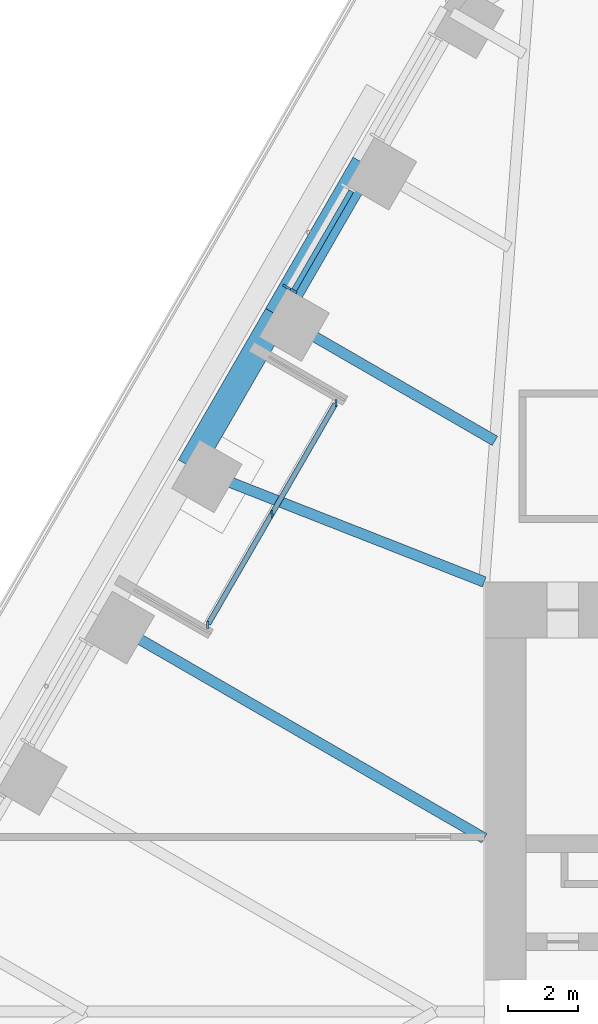
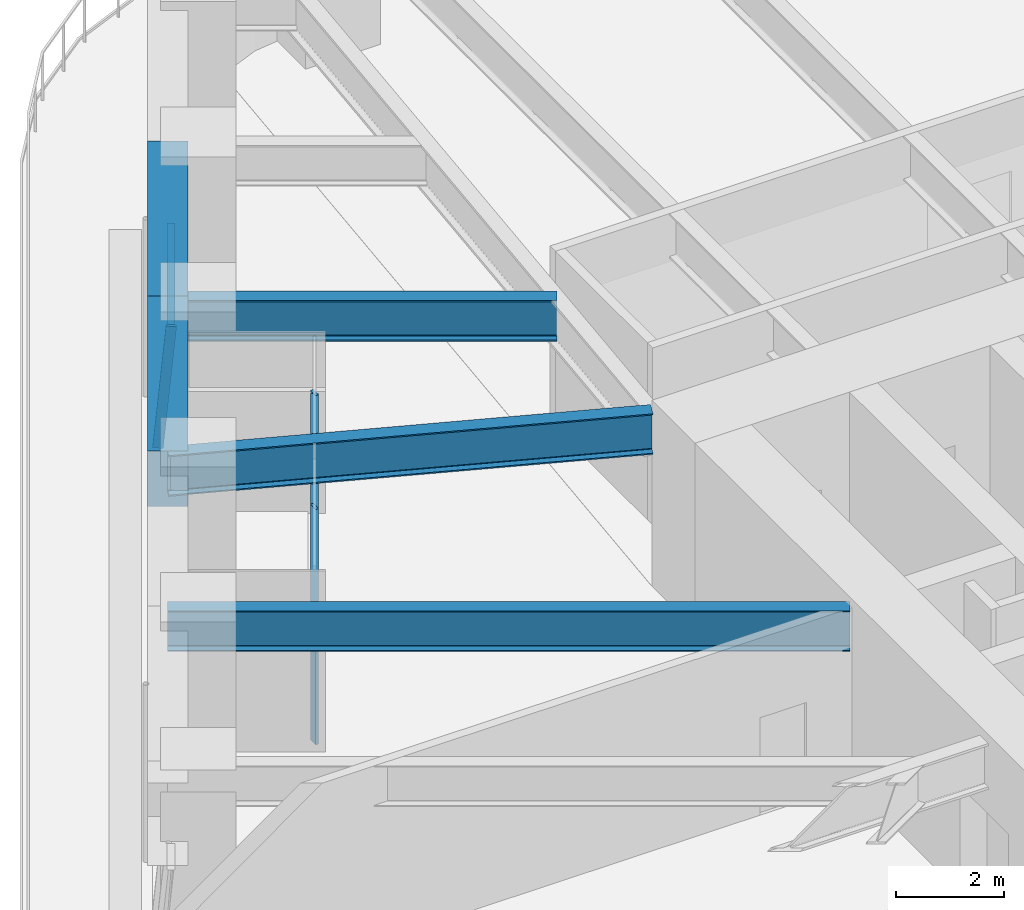
# One storey, part 8 of 24: 6 members, 5 beams, 2 elements without a shape of their own.
"""IFC4 building model written with IfcOpenShell, lengths in metres."""

import ifcopenshell
import ifcopenshell.guid

model = None  # the IFC model being written
_history = None  # IfcOwnerHistory: only IFC2X3 demands one
_inside = {}  # id of a spatial element -> (the spatial element, [elements in it])
_under = {}  # id of a project, library or spatial element -> (it, [spatial elements below it])
_declared = {}  # id of a project -> (the project, [libraries it declares])
_typed = {}  # id of a type object -> (the type object, [elements of that type])
_made_of = {}  # id of a material, layer set ... -> (it, [elements and type objects made of it])


def new_model(schema):
    """Start an empty IFC model of exactly this schema.

    Asked for "IFC4X3", IfcOpenShell would pick the latest addendum, in which some entities
    have other attributes; the version numbers below select the first issue.
    IFC2X3 requires an IfcOwnerHistory on every rooted entity: one is made here for all.
    """
    global model, _history
    if schema == "IFC4X3":
        model = ifcopenshell.file(schema_version=(4, 3, 0, 0))
    else:
        model = ifcopenshell.file(schema=schema)
    _inside.clear()
    _under.clear()
    _declared.clear()
    _typed.clear()
    _made_of.clear()
    _history = None
    if model.schema == "IFC2X3":
        org = make("IfcOrganization", Name="unknown")
        user = make(
            "IfcPersonAndOrganization",
            ThePerson=make("IfcPerson", FamilyName="unknown"),
            TheOrganization=org,
        )
        app = make(
            "IfcApplication",
            ApplicationDeveloper=org,
            Version="unknown",
            ApplicationFullName="unknown",
            ApplicationIdentifier="unknown",
        )
        _history = make(
            "IfcOwnerHistory",
            OwningUser=user,
            OwningApplication=app,
            ChangeAction="ADDED",
            CreationDate=0,
        )
    return model


def make(cls, **values):
    """One entity of the class cls with the attributes given. An attribute that is None is left unset."""
    return model.create_entity(
        cls, **{name: value for name, value in values.items() if value is not None}
    )


def rooted(cls, **values):
    """An entity with a GlobalId (a new one), such as an element, a storey or a relation."""
    return make(cls, GlobalId=ifcopenshell.guid.new(), OwnerHistory=_history, **values)


def si_unit(unit_type, name, prefix=None):
    """IfcSIUnit, for example si_unit("LENGTHUNIT", "METRE", prefix="MILLI")."""
    return make("IfcSIUnit", UnitType=unit_type, Prefix=prefix, Name=name)


def assignment(units):
    """IfcUnitAssignment: the units of a project."""
    return None if units is None else make("IfcUnitAssignment", Units=units)


def point(xyz):
    """IfcCartesianPoint."""
    return None if xyz is None else make("IfcCartesianPoint", Coordinates=xyz)


def direction(xyz):
    """IfcDirection."""
    return None if xyz is None else make("IfcDirection", DirectionRatios=xyz)


def frame(location, z_axis=None, x_axis=None):
    """IfcAxis2Placement3D, a coordinate frame: its origin and axes. An axis left out is left unset."""
    return make(
        "IfcAxis2Placement3D",
        Location=point(location),
        Axis=direction(z_axis),
        RefDirection=direction(x_axis),
    )


def frame_2d(location, x_axis=None):
    """IfcAxis2Placement2D, a coordinate frame in the plane: its origin and x axis."""
    return make(
        "IfcAxis2Placement2D", Location=point(location), RefDirection=direction(x_axis)
    )


def origin():
    """The frame at (0, 0, 0) with its axes left unset."""
    return frame((0.0, 0.0, 0.0))


def origin_2d():
    """The frame at (0, 0) in the plane with its x axis left unset."""
    return frame_2d((0.0, 0.0))


def place(relative_to, where):
    """IfcLocalPlacement: puts the frame where relative to a parent placement (None: the world)."""
    return make(
        "IfcLocalPlacement", PlacementRelTo=relative_to, RelativePlacement=where
    )


def context(
    kind, dimensions, precision=None, world=None, true_north=None, identifier=None
):
    """IfcGeometricRepresentationContext, for example the 3D "Model" context."""
    return make(
        "IfcGeometricRepresentationContext",
        ContextIdentifier=identifier,
        ContextType=kind,
        CoordinateSpaceDimension=dimensions,
        Precision=precision,
        WorldCoordinateSystem=world,
        TrueNorth=true_north,
    )


def subcontext(parent, identifier, kind, view, scale=None):
    """IfcGeometricRepresentationSubContext, for example "Body" below "Model"."""
    return make(
        "IfcGeometricRepresentationSubContext",
        ContextIdentifier=identifier,
        ContextType=kind,
        ParentContext=parent,
        TargetScale=scale,
        TargetView=view,
    )


def project(units=None, contexts=None):
    """IfcProject with its units and contexts."""
    return rooted(
        "IfcProject",
        Name="project",
        RepresentationContexts=contexts,
        UnitsInContext=assignment(units),
    )


def spatial(cls, under=None, at=None, **own):
    """A site, building, storey or space (cls), placed at a placement, below another one or the project."""
    s = rooted(cls, ObjectPlacement=at, **own)
    if under is not None:
        _under.setdefault(under.id(), (under, []))[1].append(s)
    return s


def profile(cls, at=None, kind="AREA", **sizes):
    """A parametric profile (cls). Its sizes go by their IFC names, for example OverallWidth=200.0."""
    return make(cls, ProfileType=kind, Position=at, **sizes)


def rectangle(**sizes):
    """IfcRectangleProfileDef."""
    return profile("IfcRectangleProfileDef", **sizes)


def i_section(**sizes):
    """IfcIShapeProfileDef."""
    return profile("IfcIShapeProfileDef", **sizes)


def extrude(swept, where, along, depth):
    """IfcExtrudedAreaSolid: the profile swept, set in the frame where, extruded along a direction by depth."""
    return make(
        "IfcExtrudedAreaSolid",
        SweptArea=swept,
        Position=where,
        ExtrudedDirection=direction(along),
        Depth=depth,
    )


def shape(context_of_items, identifier, shape_type, items):
    """IfcShapeRepresentation: the items that make up one representation, for example the "Body"."""
    return make(
        "IfcShapeRepresentation",
        ContextOfItems=context_of_items,
        RepresentationIdentifier=identifier,
        RepresentationType=shape_type,
        Items=items,
    )


def material(Name=None, Category=None):
    """IfcMaterial."""
    return make("IfcMaterial", Name=Name, Category=Category)


def material_profile(
    of_material, cross_section, Name=None, Category=None, Priority=None
):
    """IfcMaterialProfile: a cross section and its material."""
    return make(
        "IfcMaterialProfile",
        Name=Name,
        Material=of_material,
        Profile=cross_section,
        Priority=Priority,
        Category=Category,
    )


def profile_set(profiles, Name=None, composite=None):
    """IfcMaterialProfileSet."""
    return make(
        "IfcMaterialProfileSet",
        Name=Name,
        MaterialProfiles=profiles,
        CompositeProfile=composite,
    )


def made_of(thing, what):
    """Note that an element or type object is made of a material, layer set ...; save() writes the relation."""
    if what is not None:
        _made_of.setdefault(what.id(), (what, []))[1].append(thing)
    return thing


def type_object(cls, material=None, **own):
    """A type object (cls), such as IfcWallType, which elements share."""
    return made_of(rooted(cls, **own), material)


def element(
    cls,
    number,
    at=None,
    inside=None,
    cuts=None,
    type_object=None,
    material=None,
    context=None,
    identifier="Body",
    shape_type=None,
    held_by="IfcProductDefinitionShape",
    body=None,
    shapes=None,
    **own,
):
    """One element of the class cls, such as IfcWall. Its Tag is "e" and its number.

    at: its placement. inside: the storey or other place that contains it. cuts: it is an
    opening in that element (IfcRelVoidsElement). A single representation is given by context,
    identifier, shape_type and body (its items); several are given by shapes. held_by: the class
    of the entity that holds the representations. save() writes the other relations.
    """
    e = rooted(cls, Tag="e%d" % number, ObjectPlacement=at, **own)
    if body is not None:
        shapes = [shape(context, identifier, shape_type, body)]
    if shapes is not None:
        e.Representation = make(held_by, Representations=shapes)
    if inside is not None:
        _inside.setdefault(inside.id(), (inside, []))[1].append(e)
    if cuts is not None:
        rooted(
            "IfcRelVoidsElement", RelatingBuildingElement=cuts, RelatedOpeningElement=e
        )
    if type_object is not None:
        _typed.setdefault(type_object.id(), (type_object, []))[1].append(e)
    return made_of(e, material)


def aggregate(whole, parts):
    """IfcRelAggregates: a whole, such as a stair, and the parts it consists of."""
    return rooted("IfcRelAggregates", RelatingObject=whole, RelatedObjects=parts)


def save(model, path):
    """Write the relations noted so far, then the file.

    IfcRelAggregates (storeys below a building ...), IfcRelContainedInSpatialStructure (elements
    in a storey), IfcRelDefinesByType, IfcRelAssociatesMaterial and IfcRelDeclares: one each for
    every whole, place, type object, material and project.
    """
    for whole, parts in _under.values():
        aggregate(whole, parts)
    for where, things in _inside.values():
        rooted(
            "IfcRelContainedInSpatialStructure",
            RelatedElements=things,
            RelatingStructure=where,
        )
    for kind, things in _typed.values():
        rooted("IfcRelDefinesByType", RelatedObjects=things, RelatingType=kind)
    for what, things in _made_of.values():
        rooted("IfcRelAssociatesMaterial", RelatedObjects=things, RelatingMaterial=what)
    for by, libraries in _declared.values():
        rooted("IfcRelDeclares", RelatingContext=by, RelatedDefinitions=libraries)
    model.write(path)


model = new_model("IFC4")

# Units and contexts
model_context = context("Model", 3, precision=1e-05, world=origin(), true_north=direction((0.0, 1.0)))
body_context = subcontext(model_context, "Body", "Model", "MODEL_VIEW")
ifc_project = project(units=[si_unit("LENGTHUNIT", "METRE"), si_unit("AREAUNIT", "SQUARE_METRE"), si_unit("VOLUMEUNIT", "CUBIC_METRE"), si_unit("PLANEANGLEUNIT", "RADIAN"), si_unit("MASSUNIT", "GRAM", prefix="KILO")], contexts=[model_context])

# Site, building, storey
site_placement = place(None, origin())
site = spatial("IfcSite", under=ifc_project, at=site_placement, CompositionType="ELEMENT")
building_placement = place(site_placement, origin())
building = spatial("IfcBuilding", under=site, at=building_placement, Name="Tarfa Lantern Tower", CompositionType="ELEMENT")
storey_placement = place(building_placement, frame((0.0, 0.0, 161.5)))
storey = spatial("IfcBuildingStorey", under=building, at=storey_placement, Name="L36", CompositionType="ELEMENT", Elevation=161.5)

# Curtain wall, member
ifc_material_1 = material(Name="Aluminium framed curtain wall", Category="aluminium")
curtain_wall_type_1 = type_object("IfcCurtainWallType", Name="CW2 CANTED GLAZING MID ZONE 2750", PredefinedType="USERDEFINED", material=ifc_material_1)
curtain_wall_1_placement = place(storey_placement, origin())
curtain_wall_1 = element("IfcCurtainWall", 1, at=curtain_wall_1_placement, inside=storey, type_object=curtain_wall_type_1, Name="CW2 NW L36", ObjectType="CURTAIN WALL", PredefinedType="USERDEFINED")
ifc_material_2 = material(Name="Aluminium mullion", Category="aluminium")
ifc_material_profile_1 = material_profile(ifc_material_2, rectangle(XDim=0.06494140625, YDim=0.199951171875, at=origin_2d()), Name="AL MULLION 65x200")
ifc_profile_set_1 = profile_set([ifc_material_profile_1], Name="Aluminium mullion")
member_type_1 = type_object("IfcMemberType", Name="CWM1 MULLION 65x200", PredefinedType="MULLION", material=ifc_profile_set_1)
member_1_placement = place(storey_placement, frame((-24.275146484375, 20.75439453125, 0.0), z_axis=(0.078422950161, -0.045267813396, 0.995891894715), x_axis=(0.499919672301, 0.866071776036, 0.0)))
member_1 = element("IfcMember", 2, at=member_1_placement, type_object=member_type_1, Name="CW2 mullion 2", PredefinedType="MULLION", context=body_context, shape_type="SweptSolid", body=[
    extrude(rectangle(XDim=0.06494140625, YDim=0.199951171875, at=origin_2d()), origin(), (0.0, 0.0, 1.0), 2.76123046875),
])

# Curtain wall, members
curtain_wall_type_2 = type_object("IfcCurtainWallType", Name="CW10 LOGGIA GLAZING 2750", PredefinedType="USERDEFINED", material=ifc_material_1)
curtain_wall_2_placement = place(storey_placement, origin())
curtain_wall_2 = element("IfcCurtainWall", 3, at=curtain_wall_2_placement, inside=storey, type_object=curtain_wall_type_2, Name="CW10 NWL L36", ObjectType="CURTAIN WALL", PredefinedType="USERDEFINED")
member_2_placement = place(storey_placement, frame((-22.84619140625, 17.429443359375, 0.0), z_axis=(0.0, 0.0, 1.0), x_axis=(1.0, 0.0, 0.0)))
member_2 = element("IfcMember", 4, at=member_2_placement, type_object=member_type_1, Name="CW10 mullion 1", PredefinedType="MULLION", context=body_context, shape_type="SweptSolid", body=[
    extrude(rectangle(XDim=0.06494140625, YDim=0.199951171875, at=origin_2d()), origin(), (0.0, 0.0, 1.0), 2.75),
])
member_3_placement = place(storey_placement, frame((-24.681640625, 14.25, 0.0), z_axis=(0.0, 0.0, 1.0), x_axis=(1.0, 0.0, 0.0)))
member_3 = element("IfcMember", 5, at=member_3_placement, type_object=member_type_1, Name="CW10 mullion 2", PredefinedType="MULLION", context=body_context, shape_type="SweptSolid", body=[
    extrude(rectangle(XDim=0.06494140625, YDim=0.199951171875, at=origin_2d()), origin(), (0.0, 0.0, 1.0), 2.75),
])
member_4_placement = place(storey_placement, frame((-26.517333984375, 11.070556640625, 0.0), z_axis=(0.0, 0.0, 1.0), x_axis=(1.0, 0.0, 0.0)))
member_4 = element("IfcMember", 6, at=member_4_placement, type_object=member_type_1, Name="CW10 mullion 3", PredefinedType="MULLION", context=body_context, shape_type="SweptSolid", body=[
    extrude(rectangle(XDim=0.06494140625, YDim=0.199951171875, at=origin_2d()), origin(), (0.0, 0.0, 1.0), 2.75),
])

# Member
ifc_material_3 = material(Name="Aluminium transom", Category="aluminium")
ifc_material_profile_2 = material_profile(ifc_material_3, rectangle(XDim=0.14990234375, YDim=0.06494140625, at=origin_2d()), Name="AL TRANSOM 150x65")
ifc_profile_set_2 = profile_set([ifc_material_profile_2], Name="Aluminium transom")
member_type_2 = type_object("IfcMemberType", Name="CWT1 TRANSOM 150x65", PredefinedType="USERDEFINED", material=ifc_profile_set_2)
member_5_placement = place(storey_placement, frame((-22.407958984375, 23.494140625, 2.717529296875), z_axis=(-0.500012937857, -0.86601793398, 0.0), x_axis=(0.86601793398, -0.500012937857, 0.0)))
member_5 = element("IfcMember", 7, at=member_5_placement, type_object=member_type_2, Name="CW2 transom 1.2", ObjectType="TRANSOM", PredefinedType="USERDEFINED", context=body_context, shape_type="SweptSolid", body=[
    extrude(rectangle(XDim=0.14990234375, YDim=0.06494140625, at=origin_2d()), origin(), (0.0, 0.0, 1.0), 3.27392578125),
])

aggregate(curtain_wall_1, [member_1, member_5])

member_6_placement = place(storey_placement, frame((-22.8623046875, 17.401123046875, 2.717529296875), z_axis=(-0.500007048974, -0.866021334019, 0.0), x_axis=(0.866021334019, -0.500007048974, 0.0)))
member_6 = element("IfcMember", 8, at=member_6_placement, type_object=member_type_2, Name="CW10 transom 1.2", ObjectType="TRANSOM", PredefinedType="USERDEFINED", context=body_context, shape_type="SweptSolid", body=[
    extrude(rectangle(XDim=0.14990234375, YDim=0.06494140625, at=origin_2d()), origin(), (0.0, 0.0, 1.0), 7.27734375),
])

aggregate(curtain_wall_2, [member_2, member_3, member_4, member_6])

# Beams
ifc_material_4 = material(Name="Concrete C80/95", Category="concrete")
ifc_material_profile_3 = material_profile(ifc_material_4, rectangle(XDim=0.75, YDim=1.25, at=origin_2d()), Name="RC 750x1250")
ifc_profile_set_3 = profile_set([ifc_material_profile_3], Name="Concrete C80/95")
beam_type_1 = type_object("IfcBeamType", Name="EB2 RC 750x1250", PredefinedType="SPANDREL", material=ifc_profile_set_3)
for number, where, z_axis, x_axis, name in (
    (9, (-22.03369140625, 24.276611328125, 3.375), (-0.49998573051, -0.866033642122, 0.0), (0.866033642122, -0.49998573051, 0.0), "Edge beam NW1"),
    (10, (-24.535400390625, 19.943359375, 3.375), (-0.500022324899, -0.866012514114, 0.0), (0.866012514114, -0.500022324899, 0.0), "Edge beam NW2"),
):
    element("IfcBeam", number, at=place(storey_placement, frame(where, z_axis=z_axis, x_axis=x_axis)), inside=storey, type_object=beam_type_1, Name=name, PredefinedType="SPANDREL", context=body_context, shape_type="SweptSolid", body=[
        extrude(rectangle(XDim=0.75, YDim=1.25, at=origin_2d()), origin(), (0.0, 0.0, 1.0), 5.003662109375),
    ])
ifc_material_5 = material(Name="Steel S460M", Category="steel")
ifc_material_profile_4 = material_profile(ifc_material_5, i_section(OverallWidth=0.305419921875, OverallDepth=0.91845703125, WebThickness=0.017333984375, FlangeThickness=0.02783203125, FilletRadius=0.01904296875, at=origin_2d()), Name="UB914x305x253")
ifc_profile_set_4 = profile_set([ifc_material_profile_4], Name="Steel S460M")
beam_type_2 = type_object("IfcBeamType", Name="UB914x305x253", PredefinedType="BEAM", material=ifc_profile_set_4)
beam_1_placement = place(storey_placement, frame((-24.535400390625, 19.943359375, 3.540771484375), z_axis=(0.86602647304, -0.499998147991, 0.0), x_axis=(0.499998147991, 0.86602647304, 0.0)))
element("IfcBeam", 11, at=beam_1_placement, inside=storey, type_object=beam_type_2, Name="Floor beam NW2", PredefinedType="BEAM", context=body_context, shape_type="SweptSolid", body=[
    extrude(i_section(OverallWidth=0.305419921875, OverallDepth=0.91845703125, WebThickness=0.017333984375, FlangeThickness=0.02783203125, FilletRadius=0.01904296875, at=origin_2d()), origin(), (0.0, 0.0, 1.0), 7.20556640625),
])
beam_2_placement = place(storey_placement, frame((-27.037353515625, 15.610107421875, 3.540771484375), z_axis=(0.930923282782, -0.365214788274, 0.0), x_axis=(0.365214788274, 0.930923282782, 0.0)))
element("IfcBeam", 12, at=beam_2_placement, inside=storey, type_object=beam_type_2, Name="Floor beam NW3", PredefinedType="BEAM", context=body_context, shape_type="SweptSolid", body=[
    extrude(i_section(OverallWidth=0.305419921875, OverallDepth=0.91845703125, WebThickness=0.017333984375, FlangeThickness=0.02783203125, FilletRadius=0.01904296875, at=origin_2d()), origin(), (0.0, 0.0, 1.0), 9.063232421875),
])
beam_3_placement = place(storey_placement, frame((-29.5390625, 11.276611328125, 3.540771484375), z_axis=(0.866023362995, -0.500003534735, 0.0), x_axis=(0.500003534735, 0.866023362995, 0.0)))
element("IfcBeam", 13, at=beam_3_placement, inside=storey, type_object=beam_type_2, Name="Floor beam NW4", PredefinedType="BEAM", context=body_context, shape_type="SweptSolid", body=[
    extrude(i_section(OverallWidth=0.305419921875, OverallDepth=0.91845703125, WebThickness=0.017333984375, FlangeThickness=0.02783203125, FilletRadius=0.01904296875, at=origin_2d()), origin(), (0.0, 0.0, 1.0), 12.63134765625),
])

save(model, "model.ifc")
